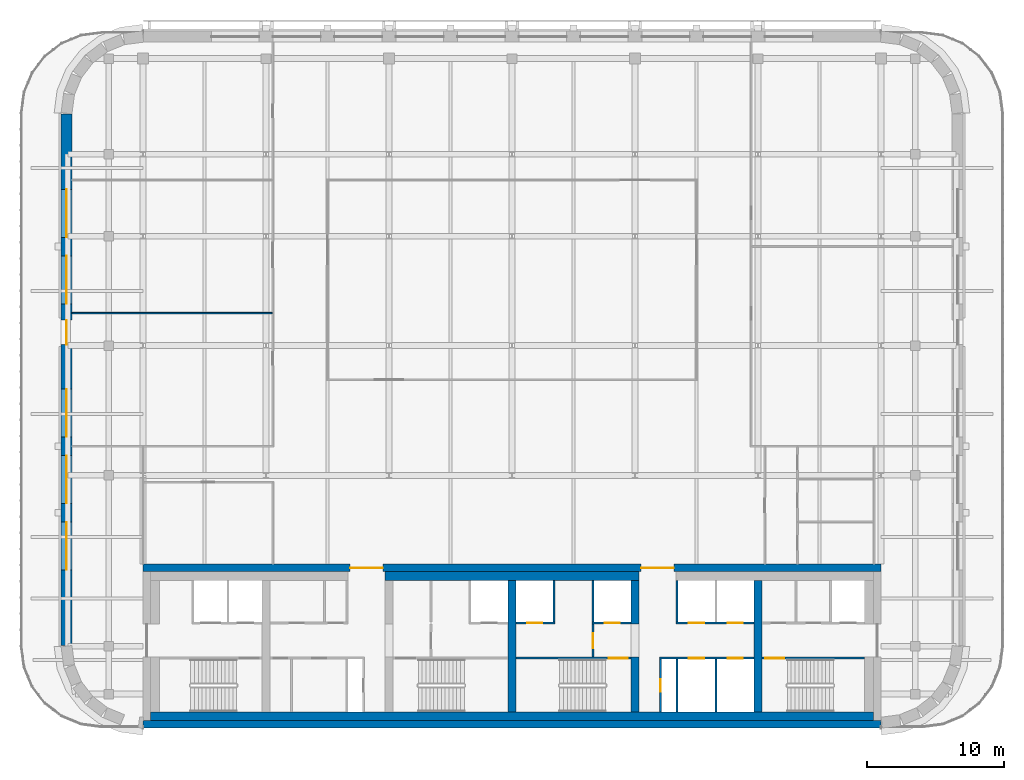
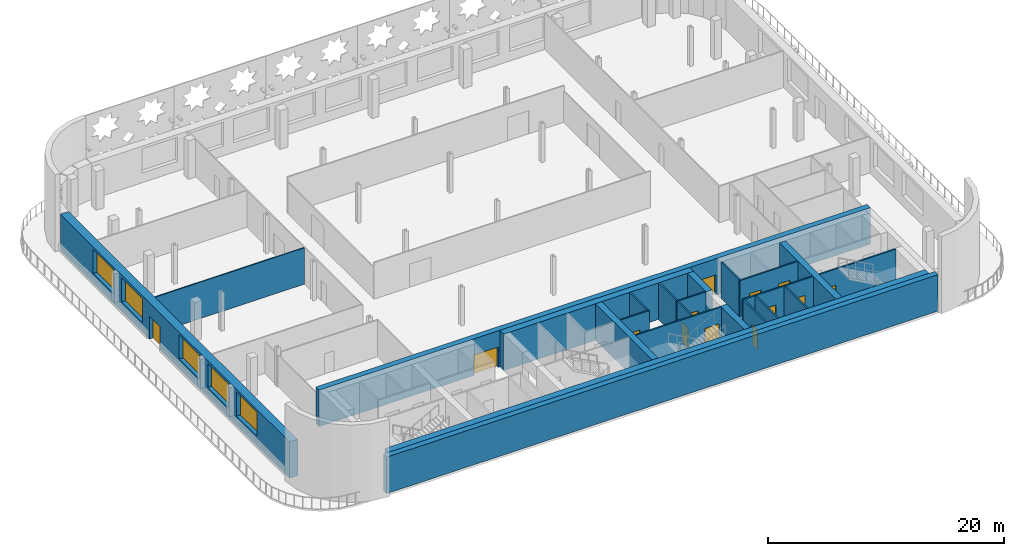
# One storey, part 8 of 15: 23 walls, 13 doors, 5 windows, 18 openings.
"""IFC4 building model written with IfcOpenShell, lengths in metres."""

from ifc_helpers import new_model, si_unit, direction, frame, frame_2d, origin, place, context, subcontext, project, spatial, rectangle, extrude, material, layer, layer_set, type_object, element, fill, save


model = new_model("IFC4")

# Units and contexts
model_context = context("Model", 3, precision=1e-05, world=origin(), true_north=direction((0.0, 1.0)))
body_context = subcontext(model_context, "Body", "Model", "MODEL_VIEW")
ifc_project = project(units=[si_unit("LENGTHUNIT", "METRE"), si_unit("AREAUNIT", "SQUARE_METRE"), si_unit("VOLUMEUNIT", "CUBIC_METRE"), si_unit("PLANEANGLEUNIT", "RADIAN"), si_unit("MASSUNIT", "GRAM", prefix="KILO")], contexts=[model_context])

# Site, building, storey
site_placement = place(None, origin())
site = spatial("IfcSite", under=ifc_project, at=site_placement, CompositionType="ELEMENT")
building_placement = place(site_placement, origin())
building = spatial("IfcBuilding", under=site, at=building_placement, Name="Zellij Exchange Tower", CompositionType="ELEMENT")
storey_placement = place(building_placement, frame((0.0, 0.0, 284.5)))
storey = spatial("IfcBuildingStorey", under=building, at=storey_placement, Name="L67", CompositionType="ELEMENT", Elevation=284.5)

# Walls
ifc_material_1 = material(Name="Concrete C50/60", Category="concrete")
ifc_layer_1 = layer(ifc_material_1, 0.60009765625)
ifc_layer_set_1 = layer_set([ifc_layer_1], Name="Concrete C50/60")
wall_type_1 = type_object("IfcWallType", Name="CORE-CW 600 C50/60", PredefinedType="SHEAR", material=ifc_layer_set_1)
wall_1_placement = place(storey_placement, frame((0.0, -12.800048828125, 0.0), z_axis=(0.0, 0.0, 1.0), x_axis=(0.0, 1.0, 0.0)))
element("IfcWall", 1, at=wall_1_placement, inside=storey, type_object=wall_type_1, Name="Core cross wall x 0 L67", PredefinedType="SHEAR", context=body_context, shape_type="SweptSolid", body=[
    extrude(rectangle(XDim=9.60009765625, YDim=0.60009765625, at=frame_2d((4.800048828125, 0.0))), origin(), (0.0, 0.0, 1.0), 3.780029296875),
])
wall_2_placement = place(storey_placement, frame((9.0, -12.800048828125, 0.0), z_axis=(0.0, 0.0, 1.0), x_axis=(0.0, 1.0, 0.0)))
element("IfcWall", 2, at=wall_2_placement, inside=storey, type_object=wall_type_1, Name="Core cross wall pier x 9 a L67", PredefinedType="SHEAR", context=body_context, shape_type="SweptSolid", body=[
    extrude(rectangle(XDim=4.0, YDim=0.60009765625, at=frame_2d((2.0, 0.0))), origin(), (0.0, 0.0, 1.0), 3.780029296875),
])
wall_3_placement = place(storey_placement, frame((9.0, -6.375, 0.0), z_axis=(0.0, 0.0, 1.0), x_axis=(0.0, 1.0, 0.0)))
element("IfcWall", 3, at=wall_3_placement, inside=storey, type_object=wall_type_1, Name="Core cross wall pier x 9 b L67", PredefinedType="SHEAR", context=body_context, shape_type="SweptSolid", body=[
    extrude(rectangle(XDim=3.175048828125, YDim=0.60009765625, at=frame_2d((1.58740234375, 0.0))), origin(), (0.0, 0.0, 1.0), 3.780029296875),
])
wall_4_placement = place(storey_placement, frame((18.0, -12.800048828125, 0.0), z_axis=(0.0, 0.0, 1.0), x_axis=(0.0, 1.0, 0.0)))
element("IfcWall", 4, at=wall_4_placement, inside=storey, type_object=wall_type_1, Name="Core cross wall x 18 L67", PredefinedType="SHEAR", context=body_context, shape_type="SweptSolid", body=[
    extrude(rectangle(XDim=9.60009765625, YDim=0.60009765625, at=frame_2d((4.800048828125, 0.0))), origin(), (0.0, 0.0, 1.0), 3.780029296875),
])
ifc_material_2 = material(Name="Concrete C30/37", Category="concrete")
ifc_layer_2 = layer(ifc_material_2, 0.64990234375)
ifc_layer_set_2 = layer_set([ifc_layer_2], Name="Concrete C30/37")
wall_type_2 = type_object("IfcWallType", Name="CORE-LW 650 C30/37", PredefinedType="SHEAR", material=ifc_layer_set_2)
wall_5_placement = place(storey_placement, frame((-9.300048828125, -2.875, 0.0), z_axis=(0.0, 0.0, 1.0), x_axis=(1.0, 0.0, 0.0)))
element("IfcWall", 5, at=wall_5_placement, inside=storey, type_object=wall_type_2, Name="Core wall lining front.1 L67", PredefinedType="SHEAR", context=body_context, shape_type="SweptSolid", body=[
    extrude(rectangle(XDim=18.60009765625, YDim=0.64990234375, at=frame_2d((9.300048828125, 0.0))), origin(), (0.0, 0.0, 1.0), 3.780029296875),
])
wall_6_placement = place(storey_placement, frame((-26.449951171875, -13.125, 0.0), z_axis=(0.0, 0.0, 1.0), x_axis=(1.0, 0.0, 0.0)))
element("IfcWall", 6, at=wall_6_placement, inside=storey, type_object=wall_type_2, Name="Core wall lining rear.0 L67", PredefinedType="SHEAR", context=body_context, shape_type="SweptSolid", body=[
    extrude(rectangle(XDim=52.89990234375, YDim=0.64990234375, at=frame_2d((26.449951171875, 0.0))), origin(), (0.0, 0.0, 1.0), 3.780029296875),
])

# Wall, opening, door
ifc_material_3 = material(Name="Gypsum shaft wall system")
ifc_layer_3 = layer(ifc_material_3, 0.14990234375)
ifc_layer_set_3 = layer_set([ifc_layer_3], Name="Gypsum shaft wall system")
wall_type_3 = type_object("IfcWallType", Name="CORE-PW 150 Firefighting lobby wall", PredefinedType="PARTITIONING", material=ifc_layer_set_3)
wall_7_placement = place(storey_placement, frame((5.925048828125, -8.800048828125, 0.0), z_axis=(0.0, 0.0, 1.0), x_axis=(0.0, 1.0, 0.0)))
wall_7 = element("IfcWall", 7, at=wall_7_placement, inside=storey, type_object=wall_type_3, Name="Firefighting lobby wall L67", PredefinedType="PARTITIONING", context=body_context, shape_type="SweptSolid", body=[
    extrude(rectangle(XDim=2.425048828125, YDim=0.14990234375, at=frame_2d((1.21240234375, 0.0))), origin(), (0.0, 0.0, 1.0), 3.780029296875),
])
opening_1_placement = place(wall_7_placement, frame((0.662109375, 0.0, 0.0)))
opening_1 = element("IfcOpeningElement", 8, at=opening_1_placement, cuts=wall_7, Name="Opening CA-35.15", PredefinedType="OPENING", context=body_context, shape_type="SweptSolid", body=[
    extrude(rectangle(XDim=1.10009765625, YDim=2.10009765625, at=frame_2d((0.550048828125, 1.050048828125))), frame((0.0, 0.0869140625, 0.0), z_axis=(0.0, -1.0, 0.0), x_axis=(1.0, 0.0, 0.0)), (0.0, 0.0, 1.0), 0.173828125),
])
ifc_material_4 = material(Name="Hollow metal fire door")
door_type_1 = type_object("IfcDoorType", Name="CORE-D F Firefighting lobby door 1100x2100 1 HR", OperationType="NOTDEFINED", PredefinedType="DOOR", material=ifc_material_4)
door_1_placement = place(opening_1_placement, origin())
door_1 = element("IfcDoor", 9, at=door_1_placement, inside=storey, type_object=door_type_1, Name="Firefighting lobby door CA-35.15", OperationType="SINGLE_SWING_RIGHT", OverallHeight=2.10009765625, OverallWidth=1.10009765625, PredefinedType="DOOR", context=body_context, shape_type="SweptSolid", body=[
    extrude(rectangle(XDim=1.10009765625, YDim=2.10009765625, at=frame_2d((0.550048828125, 1.050048828125))), frame((0.0, 0.02490234375, 0.0), z_axis=(0.0, -1.0, 0.0), x_axis=(1.0, 0.0, 0.0)), (0.0, 0.0, 1.0), 0.050048828125),
])
fill(opening_1, door_1)

ifc_material_5 = material(Name="Gypsum board partition")
ifc_layer_4 = layer(ifc_material_5, 0.14990234375)
ifc_layer_set_4 = layer_set([ifc_layer_4], Name="Gypsum board partition")
wall_type_4 = type_object("IfcWallType", Name="CORE-PW 150 Lift lobby wall", PredefinedType="PARTITIONING", material=ifc_layer_set_4)
wall_8_placement = place(storey_placement, frame((10.875, -12.800048828125, 0.0), z_axis=(0.0, 0.0, 1.0), x_axis=(0.0, 1.0, 0.0)))
wall_8 = element("IfcWall", 10, at=wall_8_placement, inside=storey, type_object=wall_type_4, Name="Lift lobby wall L67", PredefinedType="PARTITIONING", context=body_context, shape_type="SweptSolid", body=[
    extrude(rectangle(XDim=3.85009765625, YDim=0.14990234375, at=frame_2d((1.925048828125, 0.0))), origin(), (0.0, 0.0, 1.0), 3.780029296875),
])
opening_2_placement = place(wall_8_placement, frame((1.47509765625, 0.0, 0.0)))
opening_2 = element("IfcOpeningElement", 11, at=opening_2_placement, cuts=wall_8, Name="Opening CA-35.19", PredefinedType="OPENING", context=body_context, shape_type="SweptSolid", body=[
    extrude(rectangle(XDim=0.89990234375, YDim=2.10009765625, at=frame_2d((0.449951171875, 1.050048828125))), frame((0.0, 0.0869140625, 0.0), z_axis=(0.0, -1.0, 0.0), x_axis=(1.0, 0.0, 0.0)), (0.0, 0.0, 1.0), 0.173828125),
])
door_type_2 = type_object("IfcDoorType", Name="CORE-D RD Riser door 900x2100 1.5 HR", OperationType="NOTDEFINED", PredefinedType="DOOR", material=ifc_material_4)
door_2_placement = place(opening_2_placement, origin())
door_2 = element("IfcDoor", 12, at=door_2_placement, inside=storey, type_object=door_type_2, Name="Riser door CA-35.19", OperationType="SINGLE_SWING_LEFT", OverallHeight=2.10009765625, OverallWidth=0.89990234375, PredefinedType="DOOR", context=body_context, shape_type="SweptSolid", body=[
    extrude(rectangle(XDim=0.89990234375, YDim=2.10009765625, at=frame_2d((0.449951171875, 1.050048828125))), frame((0.0, 0.02490234375, 0.0), z_axis=(0.0, -1.0, 0.0), x_axis=(1.0, 0.0, 0.0)), (0.0, 0.0, 1.0), 0.050048828125),
])
fill(opening_2, door_2)

# Walls
ifc_layer_5 = layer(ifc_material_3, 0.14990234375)
ifc_layer_set_5 = layer_set([ifc_layer_5], Name="Gypsum shaft wall system")
wall_type_5 = type_object("IfcWallType", Name="CORE-PW 150 Lift shaft wall", PredefinedType="PARTITIONING", material=ifc_layer_set_5)
for number, where, z_axis, x_axis, name in (
    (13, (3.074951171875, -6.22509765625, 0.0), (0.0, 0.0, 1.0), (0.0, 1.0, 0.0), "Lift shaft wall L67"),
    (14, (5.925048828125, -6.22509765625, 0.0), (0.0, 0.0, 1.0), (0.0, 1.0, 0.0), "Lift shaft wall L67"),
    (15, (12.074951171875, -6.22509765625, 0.0), (0.0, 0.0, 1.0), (0.0, 1.0, 0.0), "Lift shaft wall L67"),
):
    element("IfcWall", number, at=place(storey_placement, frame(where, z_axis=z_axis, x_axis=x_axis)), inside=storey, type_object=wall_type_5, Name=name, PredefinedType="PARTITIONING", context=body_context, shape_type="SweptSolid", body=[
        extrude(rectangle(XDim=3.025146484375, YDim=0.14990234375, at=frame_2d((1.5126953125, 0.0))), origin(), (0.0, 0.0, 1.0), 3.780029296875),
    ])
for number, where, z_axis, x_axis, name in (
    (16, (12.074951171875, -12.800048828125, 0.0), (0.0, 0.0, 1.0), (0.0, 1.0, 0.0), "Lift shaft wall L67"),
    (17, (14.925048828125, -12.800048828125, 0.0), (0.0, 0.0, 1.0), (0.0, 1.0, 0.0), "Lift shaft wall L67"),
):
    element("IfcWall", number, at=place(storey_placement, frame(where, z_axis=z_axis, x_axis=x_axis)), inside=storey, type_object=wall_type_5, Name=name, PredefinedType="PARTITIONING", context=body_context, shape_type="SweptSolid", body=[
        extrude(rectangle(XDim=3.85009765625, YDim=0.14990234375, at=frame_2d((1.925048828125, 0.0))), origin(), (0.0, 0.0, 1.0), 3.780029296875),
    ])

# Wall, opening, door
wall_9_placement = place(storey_placement, frame((0.300048828125, -6.300048828125, 0.0), z_axis=(0.0, 0.0, 1.0), x_axis=(1.0, 0.0, 0.0)))
wall_9 = element("IfcWall", 18, at=wall_9_placement, inside=storey, type_object=wall_type_5, Name="Lift shaft wall L67", PredefinedType="PARTITIONING", context=body_context, shape_type="SweptSolid", body=[
    extrude(rectangle(XDim=2.849853515625, YDim=0.14990234375, at=frame_2d((1.4248046875, 0.0))), origin(), (0.0, 0.0, 1.0), 3.780029296875),
])
opening_3_placement = place(wall_9_placement, frame((0.800048828125, 0.0, 0.0)))
opening_3 = element("IfcOpeningElement", 19, at=opening_3_placement, cuts=wall_9, Name="Opening CA-35.14", PredefinedType="OPENING", context=body_context, shape_type="SweptSolid", body=[
    extrude(rectangle(XDim=1.10009765625, YDim=2.10009765625, at=frame_2d((0.550048828125, 1.050048828125))), frame((0.0, 0.0869140625, 0.0), z_axis=(0.0, -1.0, 0.0), x_axis=(1.0, 0.0, 0.0)), (0.0, 0.0, 1.0), 0.173828125),
])
door_type_3 = type_object("IfcDoorType", Name="CORE-D LD Lift landing door 1100x2100 1.5 HR", OperationType="NOTDEFINED", PredefinedType="DOOR", material=ifc_material_4)
door_3_placement = place(opening_3_placement, origin())
door_3 = element("IfcDoor", 20, at=door_3_placement, inside=storey, type_object=door_type_3, Name="Lift landing door CA-35.14", OperationType="SLIDING_TO_RIGHT", OverallHeight=2.10009765625, OverallWidth=1.10009765625, PredefinedType="DOOR", context=body_context, shape_type="SweptSolid", body=[
    extrude(rectangle(XDim=1.10009765625, YDim=2.10009765625, at=frame_2d((0.550048828125, 1.050048828125))), frame((0.0, 0.02490234375, 0.0), z_axis=(0.0, -1.0, 0.0), x_axis=(1.0, 0.0, 0.0)), (0.0, 0.0, 1.0), 0.050048828125),
])
fill(opening_3, door_3)

wall_10_placement = place(storey_placement, frame((5.85009765625, -6.300048828125, 0.0), z_axis=(0.0, 0.0, 1.0), x_axis=(1.0, 0.0, 0.0)))
wall_10 = element("IfcWall", 21, at=wall_10_placement, inside=storey, type_object=wall_type_5, Name="Lift shaft wall L67", PredefinedType="PARTITIONING", context=body_context, shape_type="SweptSolid", body=[
    extrude(rectangle(XDim=2.849853515625, YDim=0.14990234375, at=frame_2d((1.4248046875, 0.0))), origin(), (0.0, 0.0, 1.0), 3.780029296875),
])
opening_4_placement = place(wall_10_placement, frame((0.949951171875, 0.0, 0.0)))
opening_4 = element("IfcOpeningElement", 22, at=opening_4_placement, cuts=wall_10, Name="Opening CA-35.16", PredefinedType="OPENING", context=body_context, shape_type="SweptSolid", body=[
    extrude(rectangle(XDim=1.10009765625, YDim=2.10009765625, at=frame_2d((0.550048828125, 1.050048828125))), frame((0.0, 0.0869140625, 0.0), z_axis=(0.0, -1.0, 0.0), x_axis=(1.0, 0.0, 0.0)), (0.0, 0.0, 1.0), 0.173828125),
])
door_4_placement = place(opening_4_placement, origin())
door_4 = element("IfcDoor", 23, at=door_4_placement, inside=storey, type_object=door_type_3, Name="Lift landing door CA-35.16", OperationType="SLIDING_TO_RIGHT", OverallHeight=2.10009765625, OverallWidth=1.10009765625, PredefinedType="DOOR", context=body_context, shape_type="SweptSolid", body=[
    extrude(rectangle(XDim=1.10009765625, YDim=2.10009765625, at=frame_2d((0.550048828125, 1.050048828125))), frame((0.0, 0.02490234375, 0.0), z_axis=(0.0, -1.0, 0.0), x_axis=(1.0, 0.0, 0.0)), (0.0, 0.0, 1.0), 0.050048828125),
])
fill(opening_4, door_4)

# Wall, openings, doors
wall_11_placement = place(storey_placement, frame((12.0, -6.300048828125, 0.0), z_axis=(0.0, 0.0, 1.0), x_axis=(1.0, 0.0, 0.0)))
wall_11 = element("IfcWall", 24, at=wall_11_placement, inside=storey, type_object=wall_type_5, Name="Lift shaft wall L67", PredefinedType="PARTITIONING", context=body_context, shape_type="SweptSolid", body=[
    extrude(rectangle(XDim=5.699951171875, YDim=0.14990234375, at=frame_2d((2.85009765625, 0.0))), origin(), (0.0, 0.0, 1.0), 3.780029296875),
])
opening_5_placement = place(wall_11_placement, frame((0.949951171875, 0.0, 0.0)))
opening_5 = element("IfcOpeningElement", 25, at=opening_5_placement, cuts=wall_11, Name="Opening CA-35.21", PredefinedType="OPENING", context=body_context, shape_type="SweptSolid", body=[
    extrude(rectangle(XDim=1.10009765625, YDim=2.10009765625, at=frame_2d((0.550048828125, 1.050048828125))), frame((0.0, 0.0869140625, 0.0), z_axis=(0.0, -1.0, 0.0), x_axis=(1.0, 0.0, 0.0)), (0.0, 0.0, 1.0), 0.173828125),
])
opening_6_placement = place(wall_11_placement, frame((3.800048828125, 0.0, 0.0)))
opening_6 = element("IfcOpeningElement", 26, at=opening_6_placement, cuts=wall_11, Name="Opening CA-35.23", PredefinedType="OPENING", context=body_context, shape_type="SweptSolid", body=[
    extrude(rectangle(XDim=1.10009765625, YDim=2.10009765625, at=frame_2d((0.550048828125, 1.050048828125))), frame((0.0, 0.0869140625, 0.0), z_axis=(0.0, -1.0, 0.0), x_axis=(1.0, 0.0, 0.0)), (0.0, 0.0, 1.0), 0.173828125),
])
door_5_placement = place(opening_5_placement, origin())
door_5 = element("IfcDoor", 27, at=door_5_placement, inside=storey, type_object=door_type_3, Name="Lift landing door CA-35.21", OperationType="SLIDING_TO_LEFT", OverallHeight=2.10009765625, OverallWidth=1.10009765625, PredefinedType="DOOR", context=body_context, shape_type="SweptSolid", body=[
    extrude(rectangle(XDim=1.10009765625, YDim=2.10009765625, at=frame_2d((0.550048828125, 1.050048828125))), frame((0.0, 0.02490234375, 0.0), z_axis=(0.0, -1.0, 0.0), x_axis=(1.0, 0.0, 0.0)), (0.0, 0.0, 1.0), 0.050048828125),
])
fill(opening_5, door_5)
door_6_placement = place(opening_6_placement, origin())
door_6 = element("IfcDoor", 28, at=door_6_placement, inside=storey, type_object=door_type_3, Name="Lift landing door CA-35.23", OperationType="SLIDING_TO_LEFT", OverallHeight=2.10009765625, OverallWidth=1.10009765625, PredefinedType="DOOR", context=body_context, shape_type="SweptSolid", body=[
    extrude(rectangle(XDim=1.10009765625, YDim=2.10009765625, at=frame_2d((0.550048828125, 1.050048828125))), frame((0.0, 0.02490234375, 0.0), z_axis=(0.0, -1.0, 0.0), x_axis=(1.0, 0.0, 0.0)), (0.0, 0.0, 1.0), 0.050048828125),
])
fill(opening_6, door_6)

wall_12_placement = place(storey_placement, frame((10.800048828125, -8.875, 0.0), z_axis=(0.0, 0.0, 1.0), x_axis=(1.0, 0.0, 0.0)))
wall_12 = element("IfcWall", 29, at=wall_12_placement, inside=storey, type_object=wall_type_5, Name="Lift shaft wall L67", PredefinedType="PARTITIONING", context=body_context, shape_type="SweptSolid", body=[
    extrude(rectangle(XDim=6.89990234375, YDim=0.14990234375, at=frame_2d((3.449951171875, 0.0))), origin(), (0.0, 0.0, 1.0), 3.780029296875),
])
opening_7_placement = place(wall_12_placement, frame((2.14990234375, 0.0, 0.0)))
opening_7 = element("IfcOpeningElement", 30, at=opening_7_placement, cuts=wall_12, Name="Opening CA-35.20", PredefinedType="OPENING", context=body_context, shape_type="SweptSolid", body=[
    extrude(rectangle(XDim=1.10009765625, YDim=2.10009765625, at=frame_2d((0.550048828125, 1.050048828125))), frame((0.0, 0.0869140625, 0.0), z_axis=(0.0, -1.0, 0.0), x_axis=(1.0, 0.0, 0.0)), (0.0, 0.0, 1.0), 0.173828125),
])
opening_8_placement = place(wall_12_placement, frame((5.0, 0.0, 0.0)))
opening_8 = element("IfcOpeningElement", 31, at=opening_8_placement, cuts=wall_12, Name="Opening CA-35.22", PredefinedType="OPENING", context=body_context, shape_type="SweptSolid", body=[
    extrude(rectangle(XDim=1.10009765625, YDim=2.10009765625, at=frame_2d((0.550048828125, 1.050048828125))), frame((0.0, 0.0869140625, 0.0), z_axis=(0.0, -1.0, 0.0), x_axis=(1.0, 0.0, 0.0)), (0.0, 0.0, 1.0), 0.173828125),
])
door_7_placement = place(opening_7_placement, origin())
door_7 = element("IfcDoor", 32, at=door_7_placement, inside=storey, type_object=door_type_3, Name="Lift landing door CA-35.20", OperationType="SLIDING_TO_RIGHT", OverallHeight=2.10009765625, OverallWidth=1.10009765625, PredefinedType="DOOR", context=body_context, shape_type="SweptSolid", body=[
    extrude(rectangle(XDim=1.10009765625, YDim=2.10009765625, at=frame_2d((0.550048828125, 1.050048828125))), frame((0.0, 0.02490234375, 0.0), z_axis=(0.0, -1.0, 0.0), x_axis=(1.0, 0.0, 0.0)), (0.0, 0.0, 1.0), 0.050048828125),
])
fill(opening_7, door_7)
door_8_placement = place(opening_8_placement, origin())
door_8 = element("IfcDoor", 33, at=door_8_placement, inside=storey, type_object=door_type_3, Name="Lift landing door CA-35.22", OperationType="SLIDING_TO_RIGHT", OverallHeight=2.10009765625, OverallWidth=1.10009765625, PredefinedType="DOOR", context=body_context, shape_type="SweptSolid", body=[
    extrude(rectangle(XDim=1.10009765625, YDim=2.10009765625, at=frame_2d((0.550048828125, 1.050048828125))), frame((0.0, 0.02490234375, 0.0), z_axis=(0.0, -1.0, 0.0), x_axis=(1.0, 0.0, 0.0)), (0.0, 0.0, 1.0), 0.050048828125),
])
fill(opening_8, door_8)

ifc_layer_6 = layer(ifc_material_1, 0.550048828125)
ifc_layer_set_6 = layer_set([ifc_layer_6], Name="Concrete C50/60")
wall_type_6 = type_object("IfcWallType", Name="CORE-SW 550 C50/60", PredefinedType="SHEAR", material=ifc_layer_set_6)
wall_13_placement = place(storey_placement, frame((-27.0, -2.27490234375, 0.0), z_axis=(0.0, 0.0, 1.0), x_axis=(1.0, 0.0, 0.0)))
wall_13 = element("IfcWall", 34, at=wall_13_placement, inside=storey, type_object=wall_type_6, Name="Core shear wall front L67", PredefinedType="SHEAR", context=body_context, shape_type="SweptSolid", body=[
    extrude(rectangle(XDim=54.0, YDim=0.550048828125, at=frame_2d((27.0, 0.0))), origin(), (0.0, 0.0, 1.0), 3.780029296875),
])
opening_9_placement = place(wall_13_placement, frame((15.14990234375, 0.0, 0.0)))
opening_9 = element("IfcOpeningElement", 35, at=opening_9_placement, cuts=wall_13, Name="Opening CA-35.10", PredefinedType="OPENING", context=body_context, shape_type="SweptSolid", body=[
    extrude(rectangle(XDim=2.39990234375, YDim=2.10009765625, at=frame_2d((1.199951171875, 1.050048828125))), frame((0.0, 0.287109375, 0.0), z_axis=(0.0, -1.0, 0.0), x_axis=(1.0, 0.0, 0.0)), (0.0, 0.0, 1.0), 0.573974609375),
])
opening_10_placement = place(wall_13_placement, frame((36.449951171875, 0.0, 0.0)))
opening_10 = element("IfcOpeningElement", 36, at=opening_10_placement, cuts=wall_13, Name="Opening CA-35.18", PredefinedType="OPENING", context=body_context, shape_type="SweptSolid", body=[
    extrude(rectangle(XDim=2.39990234375, YDim=2.10009765625, at=frame_2d((1.199951171875, 1.050048828125))), frame((0.0, 0.287109375, 0.0), z_axis=(0.0, -1.0, 0.0), x_axis=(1.0, 0.0, 0.0)), (0.0, 0.0, 1.0), 0.573974609375),
])
door_type_4 = type_object("IfcDoorType", Name="CORE-D CE Core entrance door 2400x2100 20 MIN", OperationType="NOTDEFINED", PredefinedType="DOOR", material=ifc_material_4)
door_9_placement = place(opening_9_placement, origin())
door_9 = element("IfcDoor", 37, at=door_9_placement, inside=storey, type_object=door_type_4, Name="Core entrance door CA-35.10", OperationType="DOUBLE_DOOR_SINGLE_SWING", OverallHeight=2.10009765625, OverallWidth=2.39990234375, PredefinedType="DOOR", context=body_context, shape_type="SweptSolid", body=[
    extrude(rectangle(XDim=2.39990234375, YDim=2.10009765625, at=frame_2d((1.199951171875, 1.050048828125))), frame((0.0, 0.02490234375, 0.0), z_axis=(0.0, -1.0, 0.0), x_axis=(1.0, 0.0, 0.0)), (0.0, 0.0, 1.0), 0.050048828125),
])
fill(opening_9, door_9)
door_10_placement = place(opening_10_placement, origin())
door_10 = element("IfcDoor", 38, at=door_10_placement, inside=storey, type_object=door_type_4, Name="Core entrance door CA-35.18", OperationType="DOUBLE_DOOR_SINGLE_SWING", OverallHeight=2.10009765625, OverallWidth=2.39990234375, PredefinedType="DOOR", context=body_context, shape_type="SweptSolid", body=[
    extrude(rectangle(XDim=2.39990234375, YDim=2.10009765625, at=frame_2d((1.199951171875, 1.050048828125))), frame((0.0, 0.02490234375, 0.0), z_axis=(0.0, -1.0, 0.0), x_axis=(1.0, 0.0, 0.0)), (0.0, 0.0, 1.0), 0.050048828125),
])
fill(opening_10, door_10)

# Wall
wall_14_placement = place(storey_placement, frame((-27.0, -13.72509765625, 0.0), z_axis=(0.0, 0.0, 1.0), x_axis=(1.0, 0.0, 0.0)))
element("IfcWall", 39, at=wall_14_placement, inside=storey, type_object=wall_type_6, Name="Core shear wall rear L67", PredefinedType="SHEAR", context=body_context, shape_type="SweptSolid", body=[
    extrude(rectangle(XDim=54.0, YDim=0.550048828125, at=frame_2d((27.0, 0.0))), origin(), (0.0, 0.0, 1.0), 3.780029296875),
])

# Wall, opening, door
ifc_layer_7 = layer(ifc_material_1, 0.14990234375)
ifc_layer_set_7 = layer_set([ifc_layer_7], Name="Concrete C50/60")
wall_type_7 = type_object("IfcWallType", Name="CORE-SWS 150 C50/60", PredefinedType="SHEAR", material=ifc_layer_set_7)
wall_15_placement = place(storey_placement, frame((0.300048828125, -8.875, 0.0), z_axis=(0.0, 0.0, 1.0), x_axis=(1.0, 0.0, 0.0)))
wall_15 = element("IfcWall", 40, at=wall_15_placement, inside=storey, type_object=wall_type_7, Name="Stair enclosure wall L67", PredefinedType="SHEAR", context=body_context, shape_type="SweptSolid", body=[
    extrude(rectangle(XDim=8.39990234375, YDim=0.14990234375, at=frame_2d((4.199951171875, 0.0))), origin(), (0.0, 0.0, 1.0), 3.780029296875),
])
opening_11_placement = place(wall_15_placement, frame((6.77490234375, 0.0, 0.0)))
opening_11 = element("IfcOpeningElement", 41, at=opening_11_placement, cuts=wall_15, Name="Opening CA-35.17", PredefinedType="OPENING", context=body_context, shape_type="SweptSolid", body=[
    extrude(rectangle(XDim=1.39990234375, YDim=2.10009765625, at=frame_2d((0.699951171875, 1.050048828125))), frame((0.0, 0.0869140625, 0.0), z_axis=(0.0, -1.0, 0.0), x_axis=(1.0, 0.0, 0.0)), (0.0, 0.0, 1.0), 0.173828125),
])
door_type_5 = type_object("IfcDoorType", Name="CORE-D SD Stair door 1400x2100 1.5 HR", OperationType="NOTDEFINED", PredefinedType="DOOR", material=ifc_material_4)
door_11_placement = place(opening_11_placement, origin())
door_11 = element("IfcDoor", 42, at=door_11_placement, inside=storey, type_object=door_type_5, Name="Stair door CA-35.17", OperationType="DOUBLE_DOOR_SINGLE_SWING", OverallHeight=2.10009765625, OverallWidth=1.39990234375, PredefinedType="DOOR", context=body_context, shape_type="SweptSolid", body=[
    extrude(rectangle(XDim=1.39990234375, YDim=2.10009765625, at=frame_2d((0.699951171875, 1.050048828125))), frame((0.0, 0.02490234375, 0.0), z_axis=(0.0, -1.0, 0.0), x_axis=(1.0, 0.0, 0.0)), (0.0, 0.0, 1.0), 0.050048828125),
])
fill(opening_11, door_11)

wall_16_placement = place(storey_placement, frame((18.300048828125, -8.875, 0.0), z_axis=(0.0, 0.0, 1.0), x_axis=(1.0, 0.0, 0.0)))
wall_16 = element("IfcWall", 43, at=wall_16_placement, inside=storey, type_object=wall_type_7, Name="Stair enclosure wall L67", PredefinedType="SHEAR", context=body_context, shape_type="SweptSolid", body=[
    extrude(rectangle(XDim=7.5, YDim=0.14990234375, at=frame_2d((3.75, 0.0))), origin(), (0.0, 0.0, 1.0), 3.780029296875),
])
opening_12_placement = place(wall_16_placement, frame((0.22509765625, 0.0, 0.0)))
opening_12 = element("IfcOpeningElement", 44, at=opening_12_placement, cuts=wall_16, Name="Opening CA-35.24", PredefinedType="OPENING", context=body_context, shape_type="SweptSolid", body=[
    extrude(rectangle(XDim=1.39990234375, YDim=2.10009765625, at=frame_2d((0.699951171875, 1.050048828125))), frame((0.0, 0.0869140625, 0.0), z_axis=(0.0, -1.0, 0.0), x_axis=(1.0, 0.0, 0.0)), (0.0, 0.0, 1.0), 0.173828125),
])
door_12_placement = place(opening_12_placement, origin())
door_12 = element("IfcDoor", 45, at=door_12_placement, inside=storey, type_object=door_type_5, Name="Stair door CA-35.24", OperationType="DOUBLE_DOOR_SINGLE_SWING", OverallHeight=2.10009765625, OverallWidth=1.39990234375, PredefinedType="DOOR", context=body_context, shape_type="SweptSolid", body=[
    extrude(rectangle(XDim=1.39990234375, YDim=2.10009765625, at=frame_2d((0.699951171875, 1.050048828125))), frame((0.0, 0.02490234375, 0.0), z_axis=(0.0, -1.0, 0.0), x_axis=(1.0, 0.0, 0.0)), (0.0, 0.0, 1.0), 0.050048828125),
])
fill(opening_12, door_12)

# Wall, openings, door, windows
ifc_material_6 = material(Name="Precast concrete C40/50", Category="concrete")
ifc_layer_8 = layer(ifc_material_6, 0.800048828125)
ifc_layer_set_8 = layer_set([ifc_layer_8], Name="Precast concrete C40/50")
wall_type_8 = type_object("IfcWallType", Name="ENV-EW1 Precast stone-piered wall 800", PredefinedType="SOLIDWALL", material=ifc_layer_set_8)
wall_17_placement = place(storey_placement, frame((-32.60009765625, 30.947509765625, 0.0), z_axis=(0.0, 0.0, 1.0), x_axis=(0.0, -1.0, 0.0)))
wall_17 = element("IfcWall", 46, at=wall_17_placement, inside=storey, type_object=wall_type_8, Name="fac.L67.21", PredefinedType="SOLIDWALL", context=body_context, shape_type="SweptSolid", body=[
    extrude(rectangle(XDim=38.89501953125, YDim=0.800048828125, at=frame_2d((19.447509765625, 0.0))), origin(), (0.0, 0.0, 1.0), 3.780029296875),
])
opening_13_placement = place(wall_17_placement, frame((5.5263671875, 0.0, 1.0)))
opening_13 = element("IfcOpeningElement", 47, at=opening_13_placement, cuts=wall_17, Name="Opening FC2.16", PredefinedType="OPENING", context=body_context, shape_type="SweptSolid", body=[
    extrude(rectangle(XDim=3.5, YDim=2.5, at=frame_2d((1.75, 1.25))), frame((0.0, 0.412109375, 0.0), z_axis=(0.0, -1.0, 0.0), x_axis=(1.0, 0.0, 0.0)), (0.0, 0.0, 1.0), 0.823974609375),
])
opening_14_placement = place(wall_17_placement, frame((10.39501953125, 0.0, 1.0)))
opening_14 = element("IfcOpeningElement", 48, at=opening_14_placement, cuts=wall_17, Name="Opening FC2.17", PredefinedType="OPENING", context=body_context, shape_type="SweptSolid", body=[
    extrude(rectangle(XDim=3.5, YDim=2.5, at=frame_2d((1.75, 1.25))), frame((0.0, 0.412109375, 0.0), z_axis=(0.0, -1.0, 0.0), x_axis=(1.0, 0.0, 0.0)), (0.0, 0.0, 1.0), 0.823974609375),
])
opening_15_placement = place(wall_17_placement, frame((20.1318359375, 0.0, 1.0)))
opening_15 = element("IfcOpeningElement", 49, at=opening_15_placement, cuts=wall_17, Name="Opening FC2.18", PredefinedType="OPENING", context=body_context, shape_type="SweptSolid", body=[
    extrude(rectangle(XDim=3.5, YDim=2.5, at=frame_2d((1.75, 1.25))), frame((0.0, 0.412109375, 0.0), z_axis=(0.0, -1.0, 0.0), x_axis=(1.0, 0.0, 0.0)), (0.0, 0.0, 1.0), 0.823974609375),
])
opening_16_placement = place(wall_17_placement, frame((25.000244140625, 0.0, 1.0)))
opening_16 = element("IfcOpeningElement", 50, at=opening_16_placement, cuts=wall_17, Name="Opening FC2.19", PredefinedType="OPENING", context=body_context, shape_type="SweptSolid", body=[
    extrude(rectangle(XDim=3.5, YDim=2.5, at=frame_2d((1.75, 1.25))), frame((0.0, 0.412109375, 0.0), z_axis=(0.0, -1.0, 0.0), x_axis=(1.0, 0.0, 0.0)), (0.0, 0.0, 1.0), 0.823974609375),
])
opening_17_placement = place(wall_17_placement, frame((29.86865234375, 0.0, 1.0)))
opening_17 = element("IfcOpeningElement", 51, at=opening_17_placement, cuts=wall_17, Name="Opening FC2.20", PredefinedType="OPENING", context=body_context, shape_type="SweptSolid", body=[
    extrude(rectangle(XDim=3.5, YDim=2.5, at=frame_2d((1.75, 1.25))), frame((0.0, 0.412109375, 0.0), z_axis=(0.0, -1.0, 0.0), x_axis=(1.0, 0.0, 0.0)), (0.0, 0.0, 1.0), 0.823974609375),
])
opening_18_placement = place(wall_17_placement, frame((15.0791015625, 0.0, 0.0)))
opening_18 = element("IfcOpeningElement", 52, at=opening_18_placement, cuts=wall_17, Name="Opening FC2.22", PredefinedType="OPENING", context=body_context, shape_type="SweptSolid", body=[
    extrude(rectangle(XDim=1.800048828125, YDim=2.39990234375, at=frame_2d((0.89990234375, 1.199951171875))), frame((0.0, 0.412109375, 0.0), z_axis=(0.0, -1.0, 0.0), x_axis=(1.0, 0.0, 0.0)), (0.0, 0.0, 1.0), 0.823974609375),
])
ifc_material_7 = material(Name="Aluminium and glass terrace door", Category="aluminium")
door_type_6 = type_object("IfcDoorType", Name="ENV-ED5 Terrace door 1800x2400", OperationType="DOUBLE_DOOR_SINGLE_SWING", PredefinedType="DOOR", material=ifc_material_7)
door_13_placement = place(opening_18_placement, origin())
door_13 = element("IfcDoor", 53, at=door_13_placement, inside=storey, type_object=door_type_6, Name="Terrace door FC2.22", OperationType="DOUBLE_DOOR_SINGLE_SWING", OverallHeight=2.39990234375, OverallWidth=1.800048828125, PredefinedType="DOOR", context=body_context, shape_type="SweptSolid", body=[
    extrude(rectangle(XDim=1.800048828125, YDim=2.39990234375, at=frame_2d((0.89990234375, 1.199951171875))), frame((0.0, 0.02490234375, 0.0), z_axis=(0.0, -1.0, 0.0), x_axis=(1.0, 0.0, 0.0)), (0.0, 0.0, 1.0), 0.050048828125),
])
fill(opening_18, door_13)
ifc_material_8 = material(Name="Aluminium frame with insulating glass", Category="aluminium")
window_type = type_object("IfcWindowType", Name="ENV-W1 Window 3500x2500", PartitioningType="SINGLE_PANEL", PredefinedType="WINDOW", material=ifc_material_8)
window_1_placement = place(opening_13_placement, origin())
window_1 = element("IfcWindow", 54, at=window_1_placement, inside=storey, type_object=window_type, Name="Window FC2.16", OverallHeight=2.5, OverallWidth=3.5, PartitioningType="SINGLE_PANEL", PredefinedType="WINDOW", context=body_context, shape_type="SweptSolid", body=[
    extrude(rectangle(XDim=3.5, YDim=2.5, at=frame_2d((1.75, 1.25))), frame((0.0, 0.030029296875, 0.0), z_axis=(0.0, -1.0, 0.0), x_axis=(1.0, 0.0, 0.0)), (0.0, 0.0, 1.0), 0.06005859375),
])
fill(opening_13, window_1)
window_2_placement = place(opening_14_placement, origin())
window_2 = element("IfcWindow", 55, at=window_2_placement, inside=storey, type_object=window_type, Name="Window FC2.17", OverallHeight=2.5, OverallWidth=3.5, PartitioningType="SINGLE_PANEL", PredefinedType="WINDOW", context=body_context, shape_type="SweptSolid", body=[
    extrude(rectangle(XDim=3.5, YDim=2.5, at=frame_2d((1.75, 1.25))), frame((0.0, 0.030029296875, 0.0), z_axis=(0.0, -1.0, 0.0), x_axis=(1.0, 0.0, 0.0)), (0.0, 0.0, 1.0), 0.06005859375),
])
fill(opening_14, window_2)
window_3_placement = place(opening_15_placement, origin())
window_3 = element("IfcWindow", 56, at=window_3_placement, inside=storey, type_object=window_type, Name="Window FC2.18", OverallHeight=2.5, OverallWidth=3.5, PartitioningType="SINGLE_PANEL", PredefinedType="WINDOW", context=body_context, shape_type="SweptSolid", body=[
    extrude(rectangle(XDim=3.5, YDim=2.5, at=frame_2d((1.75, 1.25))), frame((0.0, 0.030029296875, 0.0), z_axis=(0.0, -1.0, 0.0), x_axis=(1.0, 0.0, 0.0)), (0.0, 0.0, 1.0), 0.06005859375),
])
fill(opening_15, window_3)
window_4_placement = place(opening_16_placement, origin())
window_4 = element("IfcWindow", 57, at=window_4_placement, inside=storey, type_object=window_type, Name="Window FC2.19", OverallHeight=2.5, OverallWidth=3.5, PartitioningType="SINGLE_PANEL", PredefinedType="WINDOW", context=body_context, shape_type="SweptSolid", body=[
    extrude(rectangle(XDim=3.5, YDim=2.5, at=frame_2d((1.75, 1.25))), frame((0.0, 0.030029296875, 0.0), z_axis=(0.0, -1.0, 0.0), x_axis=(1.0, 0.0, 0.0)), (0.0, 0.0, 1.0), 0.06005859375),
])
fill(opening_16, window_4)
window_5_placement = place(opening_17_placement, origin())
window_5 = element("IfcWindow", 58, at=window_5_placement, inside=storey, type_object=window_type, Name="Window FC2.20", OverallHeight=2.5, OverallWidth=3.5, PartitioningType="SINGLE_PANEL", PredefinedType="WINDOW", context=body_context, shape_type="SweptSolid", body=[
    extrude(rectangle(XDim=3.5, YDim=2.5, at=frame_2d((1.75, 1.25))), frame((0.0, 0.030029296875, 0.0), z_axis=(0.0, -1.0, 0.0), x_axis=(1.0, 0.0, 0.0)), (0.0, 0.0, 1.0), 0.06005859375),
])
fill(opening_17, window_5)

# Wall
ifc_material_9 = material(Name="Gypsum board partition on steel studs", Category="steel")
ifc_layer_9 = layer(ifc_material_9, 0.10009765625)
ifc_layer_set_9 = layer_set([ifc_layer_9], Name="Gypsum board partition on steel studs")
wall_type_9 = type_object("IfcWallType", Name="FIT-PARTITION-100", PredefinedType="PARTITIONING", material=ifc_layer_set_9)
wall_18_placement = place(storey_placement, frame((-32.199951171875, 16.3701171875, 0.0), z_axis=(0.0, 0.0, 1.0), x_axis=(1.0, 0.0, 0.0)))
element("IfcWall", 59, at=wall_18_placement, inside=storey, type_object=wall_type_9, Name="FIT-PARTITION-100 017", PredefinedType="PARTITIONING", context=body_context, shape_type="SweptSolid", body=[
    extrude(rectangle(XDim=14.64990234375, YDim=0.10009765625, at=frame_2d((7.324951171875, 0.0))), origin(), (0.0, 0.0, 1.0), 3.780029296875),
])

save(model, "model.ifc")
